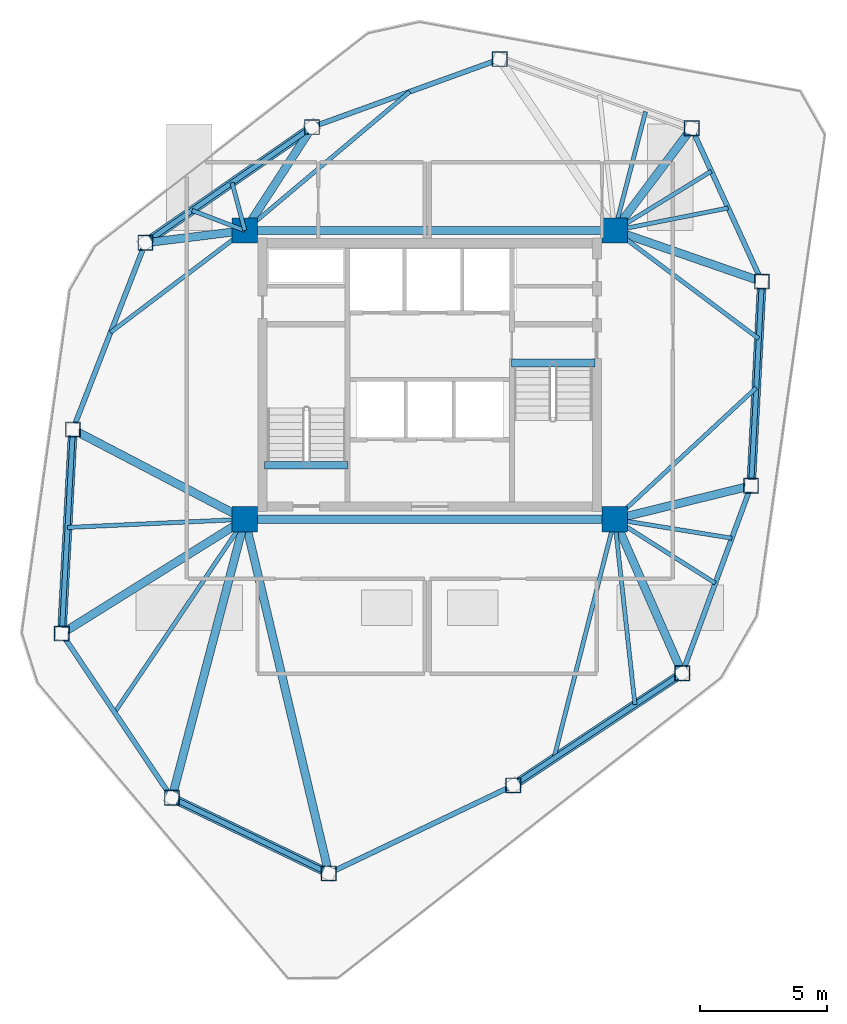
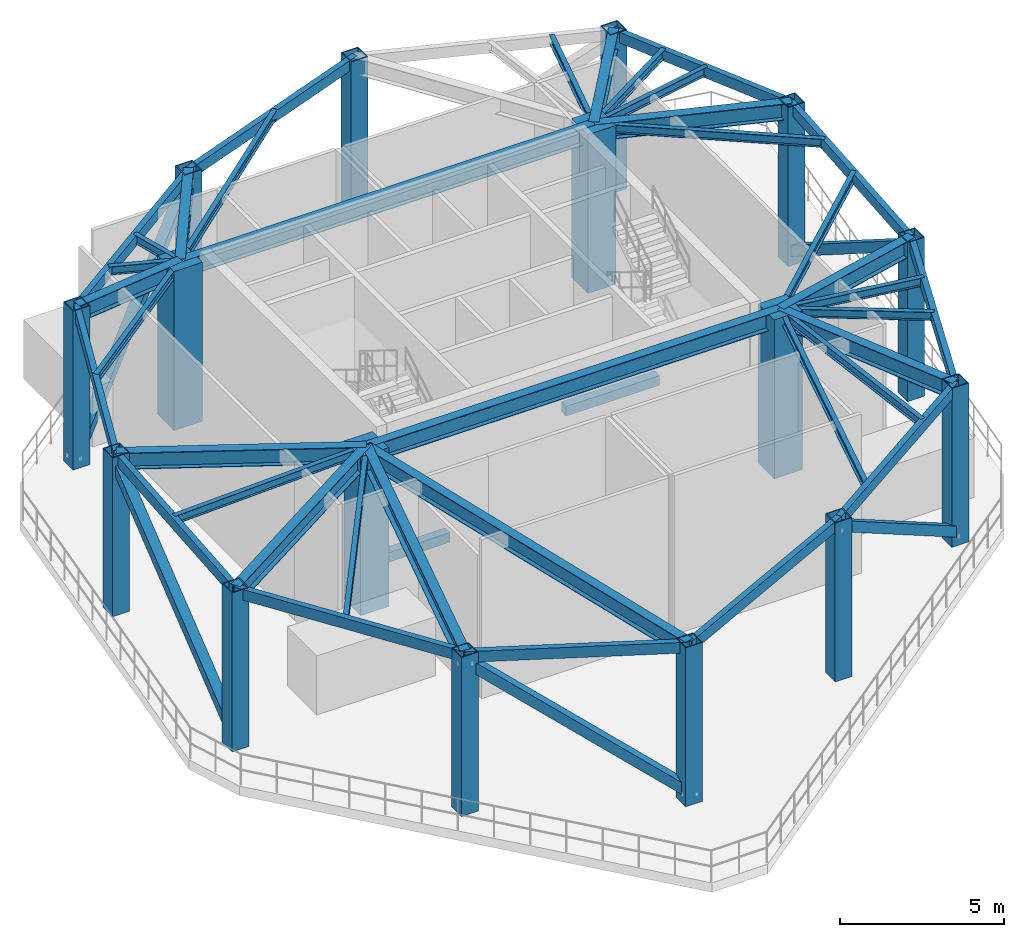
# One storey, part 1 of 7: 40 beams, 16 columns, 5 members.
"""IFC4 building model written with IfcOpenShell, lengths in metres."""

from ifc_helpers import new_model, si_unit, direction, frame, origin, origin_2d, place, context, subcontext, project, spatial, rectangle, hollow_rectangle, i_section, extrude, source, transform, mapped, material, material_profile, profile_set, type_object, type_shapes, element, save


model = new_model("IFC4")

# Units and contexts
model_context = context("Model", 3, precision=1e-05, world=origin(), true_north=direction((0.0, 1.0)))
body_context = subcontext(model_context, "Body", "Model", "MODEL_VIEW")
ifc_project = project(units=[si_unit("LENGTHUNIT", "METRE"), si_unit("AREAUNIT", "SQUARE_METRE"), si_unit("VOLUMEUNIT", "CUBIC_METRE"), si_unit("PLANEANGLEUNIT", "RADIAN"), si_unit("MASSUNIT", "GRAM", prefix="KILO")], contexts=[model_context])

# Site, building, storey
site_placement = place(None, origin())
site = spatial("IfcSite", under=ifc_project, at=site_placement, CompositionType="ELEMENT")
building_placement = place(site_placement, origin())
building = spatial("IfcBuilding", under=site, at=building_placement, Name="Talar Marvaseh", CompositionType="ELEMENT")
storey_placement = place(building_placement, frame((0.0, 0.0, 202.0)))
storey = spatial("IfcBuildingStorey", under=building, at=storey_placement, Name="L53", CompositionType="ELEMENT", Elevation=202.0)

# Columns
ifc_material_1 = material(Name="Steel S460", Category="steel")
ifc_material_profile_1 = material_profile(ifc_material_1, hollow_rectangle(XDim=0.60009765625, YDim=0.60009765625, WallThickness=0.031982421875, at=origin_2d()), Name="BOX600x600x32")
ifc_profile_set_1 = profile_set([ifc_material_profile_1], Name="Steel S460")
column_type_1 = type_object("IfcColumnType", Name="Wind Portal Column BOX600x600x32", PredefinedType="COLUMN", material=ifc_profile_set_1)
for number, where, z_axis, x_axis, name in (
    (1, (28.76611328125, 43.66796875, 0.0), (0.0, 0.0, 1.0), (1.0, 0.0, 0.0), "L53 Wind Portal Column BOX600x600x32"),
    (2, (36.341064453125, 40.94189453125, 0.0), (0.0, 0.0, 1.0), (1.0, 0.0, 0.0), "L53 Wind Portal Column BOX600x600x32"),
    (3, (39.113037109375, 34.884033203125, 0.0), (0.0, 0.0, 1.0), (1.0, 0.0, 0.0), "L53 Wind Portal Column BOX600x600x32"),
    (4, (38.68896484375, 26.823974609375, 0.0), (0.0, 0.0, 1.0), (1.0, 0.0, 0.0), "L53 Wind Portal Column BOX600x600x32"),
    (5, (35.970947265625, 19.423095703125, 0.0), (0.0, 0.0, 1.0), (1.0, 0.0, 0.0), "L53 Wind Portal Column BOX600x600x32"),
    (6, (29.299072265625, 14.993896484375, 0.0), (0.0, 0.0, 1.0), (1.0, 0.0, 0.0), "L53 Wind Portal Column BOX600x600x32"),
    (7, (22.014892578125, 11.51904296875, 0.0), (0.0, 0.0, 1.0), (1.0, 0.0, 0.0), "L53 Wind Portal Column BOX600x600x32"),
    (8, (15.819091796875, 14.5009765625, 0.0), (0.0, 0.0, 1.0), (1.0, 0.0, 0.0), "L53 Wind Portal Column BOX600x600x32"),
    (9, (11.471923828125, 20.986083984375, 0.0), (0.0, 0.0, 1.0), (1.0, 0.0, 0.0), "L53 Wind Portal Column BOX600x600x32"),
    (10, (11.908935546875, 29.044921875, 0.0), (0.0, 0.0, 1.0), (1.0, 0.0, 0.0), "L53 Wind Portal Column BOX600x600x32"),
    (11, (14.77294921875, 36.416015625, 0.0), (0.0, 0.0, 1.0), (1.0, 0.0, 0.0), "L53 Wind Portal Column BOX600x600x32"),
    (12, (21.35205078125, 40.986083984375, 0.0), (0.0, 0.0, 1.0), (1.0, 0.0, 0.0), "L53 Wind Portal Column BOX600x600x32"),
):
    element("IfcColumn", number, at=place(storey_placement, frame(where, z_axis=z_axis, x_axis=x_axis)), inside=storey, type_object=column_type_1, Name=name, PredefinedType="COLUMN", context=body_context, shape_type="SweptSolid", body=[
        extrude(hollow_rectangle(XDim=0.60009765625, YDim=0.60009765625, WallThickness=0.031982421875, at=origin_2d()), origin(), (0.0, 0.0, 1.0), 5.929931640625),
    ])
ifc_material_2 = material(Name="Concrete C60/75", Category="concrete")
ifc_material_profile_2 = material_profile(ifc_material_2, rectangle(XDim=1.0, YDim=1.0, at=origin_2d()), Name="RC1000x1000")
ifc_profile_set_2 = profile_set([ifc_material_profile_2], Name="Concrete C60/75")
column_type_2 = type_object("IfcColumnType", Name="Zone 3 Tube Column RC1000x1000", PredefinedType="COLUMN", material=ifc_profile_set_2)
for number, where, z_axis, x_axis, name in (
    (13, (18.699951171875, 25.5, 0.0), (0.0, 0.0, 1.0), (1.0, 0.0, 0.0), "L53 Zone 3 Tube Column RC1000x1000"),
    (14, (33.300048828125, 25.5, 0.0), (0.0, 0.0, 1.0), (1.0, 0.0, 0.0), "L53 Zone 3 Tube Column RC1000x1000"),
    (15, (33.300048828125, 36.89990234375, 0.0), (0.0, 0.0, 1.0), (1.0, 0.0, 0.0), "L53 Zone 3 Tube Column RC1000x1000"),
    (16, (18.699951171875, 36.89990234375, 0.0), (0.0, 0.0, 1.0), (1.0, 0.0, 0.0), "L53 Zone 3 Tube Column RC1000x1000"),
):
    element("IfcColumn", number, at=place(storey_placement, frame(where, z_axis=z_axis, x_axis=x_axis)), inside=storey, type_object=column_type_2, Name=name, PredefinedType="COLUMN", context=body_context, shape_type="SweptSolid", body=[
        extrude(rectangle(XDim=1.0, YDim=1.0, at=origin_2d()), origin(), (0.0, 0.0, 1.0), 5.929931640625),
    ])

# Beams
ifc_material_3 = material(Name="Concrete C40/50", Category="concrete")
ifc_material_profile_3 = material_profile(ifc_material_3, rectangle(XDim=0.300048828125, YDim=0.360107421875, at=origin_2d()), Name="RC300x360")
ifc_profile_set_3 = profile_set([ifc_material_profile_3], Name="Concrete C40/50")
beam_type_1 = type_object("IfcBeamType", Name="Concrete Stair Landing Trimmer Beam RC300x360", PredefinedType="SPANDREL", material=ifc_profile_set_3)
for number, where, z_axis, x_axis, name in (
    (17, (22.780029296875, 27.6298828125, -0.179931640625), (-1.0, 0.0, 0.0), (0.0, -1.0, 0.0), "L53 ST-1 Stair Nosing Trimmer Beam"),
    (18, (29.219970703125, 31.669921875, -0.179931640625), (1.0, 0.0, 0.0), (0.0, 1.0, 0.0), "L53 ST-2 Stair Nosing Trimmer Beam"),
):
    element("IfcBeam", number, at=place(storey_placement, frame(where, z_axis=z_axis, x_axis=x_axis)), inside=storey, type_object=beam_type_1, Name=name, PredefinedType="SPANDREL", context=body_context, shape_type="SweptSolid", body=[
        extrude(rectangle(XDim=0.300048828125, YDim=0.360107421875, at=origin_2d()), origin(), (0.0, 0.0, 1.0), 3.300048828125),
    ])
ifc_material_4 = material(Name="Steel S355", Category="steel")
ifc_material_profile_4 = material_profile(ifc_material_4, hollow_rectangle(XDim=0.199951171875, YDim=0.39990234375, WallThickness=0.013916015625, at=origin_2d()), Name="RHS400x200x14")
ifc_profile_set_4 = profile_set([ifc_material_profile_4], Name="Steel S355")
beam_type_2 = type_object("IfcBeamType", Name="Zone 3 Perimeter Spandrel Beam RHS400x200x14", PredefinedType="SPANDREL", material=ifc_profile_set_4)
beam_1_placement = place(storey_placement, frame((36.341064453125, 40.94189453125, 5.72998046875), z_axis=(0.416090570719, -0.909323175202, 0.0), x_axis=(0.909323175202, 0.416090570719, 0.0)))
element("IfcBeam", 19, at=beam_1_placement, inside=storey, type_object=beam_type_2, Name="L53 Zone 3 Perimeter Spandrel Beam RHS400x200x14", PredefinedType="SPANDREL", context=body_context, shape_type="SweptSolid", body=[
    extrude(hollow_rectangle(XDim=0.199951171875, YDim=0.39990234375, WallThickness=0.013916015625, at=origin_2d()), origin(), (0.0, 0.0, 1.0), 6.661865234375),
])
beam_2_placement = place(storey_placement, frame((39.113037109375, 34.884033203125, 5.72998046875), z_axis=(-0.052541369293, -0.998618748328, 0.0), x_axis=(0.998618748328, -0.052541369293, 0.0)))
element("IfcBeam", 20, at=beam_2_placement, inside=storey, type_object=beam_type_2, Name="L53 Zone 3 Perimeter Spandrel Beam RHS400x200x14", PredefinedType="SPANDREL", context=body_context, shape_type="SweptSolid", body=[
    extrude(hollow_rectangle(XDim=0.199951171875, YDim=0.39990234375, WallThickness=0.013916015625, at=origin_2d()), origin(), (0.0, 0.0, 1.0), 8.0712890625),
])
beam_3_placement = place(storey_placement, frame((38.68896484375, 26.823974609375, 5.72998046875), z_axis=(-0.344742291376, -0.938697370049, 0.0), x_axis=(0.938697370049, -0.344742291376, 0.0)))
element("IfcBeam", 21, at=beam_3_placement, inside=storey, type_object=beam_type_2, Name="L53 Zone 3 Perimeter Spandrel Beam RHS400x200x14", PredefinedType="SPANDREL", context=body_context, shape_type="SweptSolid", body=[
    extrude(hollow_rectangle(XDim=0.199951171875, YDim=0.39990234375, WallThickness=0.013916015625, at=origin_2d()), origin(), (0.0, 0.0, 1.0), 7.88427734375),
])
beam_4_placement = place(storey_placement, frame((35.970947265625, 19.423095703125, 5.72998046875), z_axis=(-0.833127464163, -0.553081032452, 0.0), x_axis=(0.553081032452, -0.833127464163, 0.0)))
element("IfcBeam", 22, at=beam_4_placement, inside=storey, type_object=beam_type_2, Name="L53 Zone 3 Perimeter Spandrel Beam RHS400x200x14", PredefinedType="SPANDREL", context=body_context, shape_type="SweptSolid", body=[
    extrude(hollow_rectangle(XDim=0.199951171875, YDim=0.39990234375, WallThickness=0.013916015625, at=origin_2d()), origin(), (0.0, 0.0, 1.0), 8.00830078125),
])
beam_5_placement = place(storey_placement, frame((29.299072265625, 14.993896484375, 5.72998046875), z_axis=(-0.902562267408, -0.430559349511, 0.0), x_axis=(0.430559349511, -0.902562267408, 0.0)))
element("IfcBeam", 23, at=beam_5_placement, inside=storey, type_object=beam_type_2, Name="L53 Zone 3 Perimeter Spandrel Beam RHS400x200x14", PredefinedType="SPANDREL", context=body_context, shape_type="SweptSolid", body=[
    extrude(hollow_rectangle(XDim=0.199951171875, YDim=0.39990234375, WallThickness=0.013916015625, at=origin_2d()), origin(), (0.0, 0.0, 1.0), 8.070556640625),
])
beam_6_placement = place(storey_placement, frame((22.014892578125, 11.51904296875, 5.72998046875), z_axis=(-0.901071562993, 0.433670425975, 0.0), x_axis=(-0.433670425975, -0.901071562993, 0.0)))
element("IfcBeam", 24, at=beam_6_placement, inside=storey, type_object=beam_type_2, Name="L53 Zone 3 Perimeter Spandrel Beam RHS400x200x14", PredefinedType="SPANDREL", context=body_context, shape_type="SweptSolid", body=[
    extrude(hollow_rectangle(XDim=0.199951171875, YDim=0.39990234375, WallThickness=0.013916015625, at=origin_2d()), origin(), (0.0, 0.0, 1.0), 6.8759765625),
])
beam_7_placement = place(storey_placement, frame((15.819091796875, 14.5009765625, 5.72998046875), z_axis=(-0.556805579613, 0.830642851358, 0.0), x_axis=(-0.830642851358, -0.556805579613, 0.0)))
element("IfcBeam", 25, at=beam_7_placement, inside=storey, type_object=beam_type_2, Name="L53 Zone 3 Perimeter Spandrel Beam RHS400x200x14", PredefinedType="SPANDREL", context=body_context, shape_type="SweptSolid", body=[
    extrude(hollow_rectangle(XDim=0.199951171875, YDim=0.39990234375, WallThickness=0.013916015625, at=origin_2d()), origin(), (0.0, 0.0, 1.0), 7.807373046875),
])
beam_8_placement = place(storey_placement, frame((11.471923828125, 20.986083984375, 5.72998046875), z_axis=(0.054148078426, 0.998532916635, 0.0), x_axis=(-0.998532916635, 0.054148078426, 0.0)))
element("IfcBeam", 26, at=beam_8_placement, inside=storey, type_object=beam_type_2, Name="L53 Zone 3 Perimeter Spandrel Beam RHS400x200x14", PredefinedType="SPANDREL", context=body_context, shape_type="SweptSolid", body=[
    extrude(hollow_rectangle(XDim=0.199951171875, YDim=0.39990234375, WallThickness=0.013916015625, at=origin_2d()), origin(), (0.0, 0.0, 1.0), 8.070556640625),
])
beam_9_placement = place(storey_placement, frame((11.908935546875, 29.044921875, 5.72998046875), z_axis=(0.362169134611, 0.932112395548, 0.0), x_axis=(-0.932112395548, 0.362169134611, 0.0)))
element("IfcBeam", 27, at=beam_9_placement, inside=storey, type_object=beam_type_2, Name="L53 Zone 3 Perimeter Spandrel Beam RHS400x200x14", PredefinedType="SPANDREL", context=body_context, shape_type="SweptSolid", body=[
    extrude(hollow_rectangle(XDim=0.199951171875, YDim=0.39990234375, WallThickness=0.013916015625, at=origin_2d()), origin(), (0.0, 0.0, 1.0), 7.907958984375),
])
beam_10_placement = place(storey_placement, frame((14.77294921875, 36.416015625, 5.72998046875), z_axis=(0.821296978901, 0.570500896098, 0.0), x_axis=(-0.570500896098, 0.821296978901, 0.0)))
element("IfcBeam", 28, at=beam_10_placement, inside=storey, type_object=beam_type_2, Name="L53 Zone 3 Perimeter Spandrel Beam RHS400x200x14", PredefinedType="SPANDREL", context=body_context, shape_type="SweptSolid", body=[
    extrude(hollow_rectangle(XDim=0.199951171875, YDim=0.39990234375, WallThickness=0.013916015625, at=origin_2d()), origin(), (0.0, 0.0, 1.0), 8.0107421875),
])
beam_11_placement = place(storey_placement, frame((21.35205078125, 40.986083984375, 5.72998046875), z_axis=(0.940368006783, 0.340158803824, 0.0), x_axis=(-0.340158803824, 0.940368006783, 0.0)))
element("IfcBeam", 29, at=beam_11_placement, inside=storey, type_object=beam_type_2, Name="L53 Zone 3 Perimeter Spandrel Beam RHS400x200x14", PredefinedType="SPANDREL", context=body_context, shape_type="SweptSolid", body=[
    extrude(hollow_rectangle(XDim=0.199951171875, YDim=0.39990234375, WallThickness=0.013916015625, at=origin_2d()), origin(), (0.0, 0.0, 1.0), 7.88427734375),
])
ifc_material_profile_5 = material_profile(ifc_material_4, i_section(OverallWidth=0.324951171875, OverallDepth=0.615966796875, WebThickness=0.013916015625, FlangeThickness=0.021484375, at=origin_2d()), Name="W610x174")
ifc_profile_set_5 = profile_set([ifc_material_profile_5], Name="Steel S355")
beam_type_3 = type_object("IfcBeamType", Name="Zone 3 Radial Floor Girder W610x174", PredefinedType="BEAM", material=ifc_profile_set_5)
for number, where, z_axis, x_axis, name in (
    (30, (18.699951171875, 25.5, 5.6220703125), (1.0, 0.0, 0.0), (0.0, 1.0, 0.0), "L53 Zone 3 Radial Floor Girder W610x174"),
    (31, (18.699951171875, 36.89990234375, 5.6220703125), (1.0, 0.0, 0.0), (0.0, 1.0, 0.0), "L53 Zone 3 Radial Floor Girder W610x174"),
):
    element("IfcBeam", number, at=place(storey_placement, frame(where, z_axis=z_axis, x_axis=x_axis)), inside=storey, type_object=beam_type_3, Name=name, PredefinedType="BEAM", context=body_context, shape_type="SweptSolid", body=[
        extrude(i_section(OverallWidth=0.324951171875, OverallDepth=0.615966796875, WebThickness=0.013916015625, FlangeThickness=0.021484375, at=origin_2d()), origin(), (0.0, 0.0, 1.0), 14.60009765625),
    ])
beam_12_placement = place(storey_placement, frame((36.341064453125, 40.94189453125, 5.6220703125), z_axis=(-0.601204044541, -0.799095549247, 0.0), x_axis=(0.799095549247, -0.601204044541, 0.0)))
element("IfcBeam", 32, at=beam_12_placement, inside=storey, type_object=beam_type_3, Name="L53 Zone 3 Radial Floor Girder W610x174", PredefinedType="BEAM", context=body_context, shape_type="SweptSolid", body=[
    extrude(i_section(OverallWidth=0.324951171875, OverallDepth=0.615966796875, WebThickness=0.013916015625, FlangeThickness=0.021484375, at=origin_2d()), origin(), (0.0, 0.0, 1.0), 5.05810546875),
])
beam_13_placement = place(storey_placement, frame((39.113037109375, 34.884033203125, 5.6220703125), z_axis=(-0.94480098975, 0.327644761544, 0.0), x_axis=(-0.327644761544, -0.94480098975, 0.0)))
element("IfcBeam", 33, at=beam_13_placement, inside=storey, type_object=beam_type_3, Name="L53 Zone 3 Radial Floor Girder W610x174", PredefinedType="BEAM", context=body_context, shape_type="SweptSolid", body=[
    extrude(i_section(OverallWidth=0.324951171875, OverallDepth=0.615966796875, WebThickness=0.013916015625, FlangeThickness=0.021484375, at=origin_2d()), origin(), (0.0, 0.0, 1.0), 6.152587890625),
])
beam_14_placement = place(storey_placement, frame((38.68896484375, 26.823974609375, 5.6220703125), z_axis=(-0.971120507527, -0.238589521692, 0.0), x_axis=(0.238589521692, -0.971120507527, 0.0)))
element("IfcBeam", 34, at=beam_14_placement, inside=storey, type_object=beam_type_3, Name="L53 Zone 3 Radial Floor Girder W610x174", PredefinedType="BEAM", context=body_context, shape_type="SweptSolid", body=[
    extrude(i_section(OverallWidth=0.324951171875, OverallDepth=0.615966796875, WebThickness=0.013916015625, FlangeThickness=0.021484375, at=origin_2d()), origin(), (0.0, 0.0, 1.0), 5.549072265625),
])
beam_15_placement = place(storey_placement, frame((35.970947265625, 19.423095703125, 5.6220703125), z_axis=(-0.402367581672, 0.91547819702, 0.0), x_axis=(-0.91547819702, -0.402367581672, 0.0)))
element("IfcBeam", 35, at=beam_15_placement, inside=storey, type_object=beam_type_3, Name="L53 Zone 3 Radial Floor Girder W610x174", PredefinedType="BEAM", context=body_context, shape_type="SweptSolid", body=[
    extrude(i_section(OverallWidth=0.324951171875, OverallDepth=0.615966796875, WebThickness=0.013916015625, FlangeThickness=0.021484375, at=origin_2d()), origin(), (0.0, 0.0, 1.0), 6.637939453125),
])
beam_16_placement = place(storey_placement, frame((22.014892578125, 11.51904296875, 5.6220703125), z_axis=(-0.230707708791, 0.973023099985, 0.0), x_axis=(-0.973023099985, -0.230707708791, 0.0)))
element("IfcBeam", 36, at=beam_16_placement, inside=storey, type_object=beam_type_3, Name="L53 Zone 3 Radial Floor Girder W610x174", PredefinedType="BEAM", context=body_context, shape_type="SweptSolid", body=[
    extrude(i_section(OverallWidth=0.324951171875, OverallDepth=0.615966796875, WebThickness=0.013916015625, FlangeThickness=0.021484375, at=origin_2d()), origin(), (0.0, 0.0, 1.0), 14.36865234375),
])
beam_17_placement = place(storey_placement, frame((15.819091796875, 14.5009765625, 5.6220703125), z_axis=(0.253372787776, 0.967368714821, 0.0), x_axis=(-0.967368714821, 0.253372787776, 0.0)))
element("IfcBeam", 37, at=beam_17_placement, inside=storey, type_object=beam_type_3, Name="L53 Zone 3 Radial Floor Girder W610x174", PredefinedType="BEAM", context=body_context, shape_type="SweptSolid", body=[
    extrude(i_section(OverallWidth=0.324951171875, OverallDepth=0.615966796875, WebThickness=0.013916015625, FlangeThickness=0.021484375, at=origin_2d()), origin(), (0.0, 0.0, 1.0), 11.3701171875),
])
beam_18_placement = place(storey_placement, frame((11.471923828125, 20.986083984375, 5.6220703125), z_axis=(0.848188171212, 0.52969503133, 0.0), x_axis=(-0.52969503133, 0.848188171212, 0.0)))
element("IfcBeam", 38, at=beam_18_placement, inside=storey, type_object=beam_type_3, Name="L53 Zone 3 Radial Floor Girder W610x174", PredefinedType="BEAM", context=body_context, shape_type="SweptSolid", body=[
    extrude(i_section(OverallWidth=0.324951171875, OverallDepth=0.615966796875, WebThickness=0.013916015625, FlangeThickness=0.021484375, at=origin_2d()), origin(), (0.0, 0.0, 1.0), 8.521728515625),
])
beam_19_placement = place(storey_placement, frame((11.908935546875, 29.044921875, 5.6220703125), z_axis=(0.886489360055, -0.462748975697, 0.0), x_axis=(0.462748975697, 0.886489360055, 0.0)))
element("IfcBeam", 39, at=beam_19_placement, inside=storey, type_object=beam_type_3, Name="L53 Zone 3 Radial Floor Girder W610x174", PredefinedType="BEAM", context=body_context, shape_type="SweptSolid", body=[
    extrude(i_section(OverallWidth=0.324951171875, OverallDepth=0.615966796875, WebThickness=0.013916015625, FlangeThickness=0.021484375, at=origin_2d()), origin(), (0.0, 0.0, 1.0), 7.66064453125),
])
beam_20_placement = place(storey_placement, frame((14.77294921875, 36.416015625, 5.6220703125), z_axis=(0.99249373738, 0.122295467049, 0.0), x_axis=(-0.122295467049, 0.99249373738, 0.0)))
element("IfcBeam", 40, at=beam_20_placement, inside=storey, type_object=beam_type_3, Name="L53 Zone 3 Radial Floor Girder W610x174", PredefinedType="BEAM", context=body_context, shape_type="SweptSolid", body=[
    extrude(i_section(OverallWidth=0.324951171875, OverallDepth=0.615966796875, WebThickness=0.013916015625, FlangeThickness=0.021484375, at=origin_2d()), origin(), (0.0, 0.0, 1.0), 3.956787109375),
])
beam_21_placement = place(storey_placement, frame((21.35205078125, 40.986083984375, 5.6220703125), z_axis=(-0.544422757063, -0.838810980849, 0.0), x_axis=(0.838810980849, -0.544422757063, 0.0)))
element("IfcBeam", 41, at=beam_21_placement, inside=storey, type_object=beam_type_3, Name="L53 Zone 3 Radial Floor Girder W610x174", PredefinedType="BEAM", context=body_context, shape_type="SweptSolid", body=[
    extrude(i_section(OverallWidth=0.324951171875, OverallDepth=0.615966796875, WebThickness=0.013916015625, FlangeThickness=0.021484375, at=origin_2d()), origin(), (0.0, 0.0, 1.0), 4.871337890625),
])
ifc_material_profile_6 = material_profile(ifc_material_4, i_section(OverallWidth=0.166015625, OverallDepth=0.31298828125, WebThickness=0.006591796875, FlangeThickness=0.01123046875, at=origin_2d()), Name="W310x45")
ifc_profile_set_6 = profile_set([ifc_material_profile_6], Name="Steel S355")
beam_type_4 = type_object("IfcBeamType", Name="Zone 3 Secondary Floor Joist W310x45", PredefinedType="JOIST", material=ifc_profile_set_6)
beam_22_placement = place(storey_placement, frame((34.52294921875, 41.59619140625, 5.7734375), z_axis=(-0.251993851934, -0.967728835257, 0.0), x_axis=(0.967728835257, -0.251993851934, 0.0)))
element("IfcBeam", 42, at=beam_22_placement, inside=storey, type_object=beam_type_4, Name="L53 Zone 3 Secondary Floor Joist W310x45", PredefinedType="JOIST", context=body_context, shape_type="SweptSolid", body=[
    extrude(i_section(OverallWidth=0.166015625, OverallDepth=0.31298828125, WebThickness=0.006591796875, FlangeThickness=0.01123046875, at=origin_2d()), origin(), (0.0, 0.0, 1.0), 4.852783203125),
])
beam_23_placement = place(storey_placement, frame((37.1171875, 39.245849609375, 5.7734375), z_axis=(-0.851963133725, -0.52360177499, 0.0), x_axis=(0.52360177499, -0.851963133725, 0.0)))
element("IfcBeam", 43, at=beam_23_placement, inside=storey, type_object=beam_type_4, Name="L53 Zone 3 Secondary Floor Joist W310x45", PredefinedType="JOIST", context=body_context, shape_type="SweptSolid", body=[
    extrude(i_section(OverallWidth=0.166015625, OverallDepth=0.31298828125, WebThickness=0.006591796875, FlangeThickness=0.01123046875, at=origin_2d()), origin(), (0.0, 0.0, 1.0), 4.48046875),
])
beam_24_placement = place(storey_placement, frame((37.782470703125, 37.791748046875, 5.7734375), z_axis=(-0.980775375356, -0.195140111447, 0.0), x_axis=(0.195140111447, -0.980775375356, 0.0)))
element("IfcBeam", 44, at=beam_24_placement, inside=storey, type_object=beam_type_4, Name="L53 Zone 3 Secondary Floor Joist W310x45", PredefinedType="JOIST", context=body_context, shape_type="SweptSolid", body=[
    extrude(i_section(OverallWidth=0.166015625, OverallDepth=0.31298828125, WebThickness=0.006591796875, FlangeThickness=0.01123046875, at=origin_2d()), origin(), (0.0, 0.0, 1.0), 4.5703125),
])
beam_25_placement = place(storey_placement, frame((38.994384765625, 32.627197265625, 5.7734375), z_axis=(-0.799868292589, 0.600175569739, 0.0), x_axis=(-0.600175569739, -0.799868292589, 0.0)))
element("IfcBeam", 45, at=beam_25_placement, inside=storey, type_object=beam_type_4, Name="L53 Zone 3 Secondary Floor Joist W310x45", PredefinedType="JOIST", context=body_context, shape_type="SweptSolid", body=[
    extrude(i_section(OverallWidth=0.166015625, OverallDepth=0.31298828125, WebThickness=0.006591796875, FlangeThickness=0.01123046875, at=origin_2d()), origin(), (0.0, 0.0, 1.0), 7.119140625),
])
beam_26_placement = place(storey_placement, frame((38.892578125, 30.69287109375, 5.7734375), z_axis=(-0.73280602476, -0.680437601897, 0.0), x_axis=(0.680437601897, -0.73280602476, 0.0)))
element("IfcBeam", 46, at=beam_26_placement, inside=storey, type_object=beam_type_4, Name="L53 Zone 3 Secondary Floor Joist W310x45", PredefinedType="JOIST", context=body_context, shape_type="SweptSolid", body=[
    extrude(i_section(OverallWidth=0.166015625, OverallDepth=0.31298828125, WebThickness=0.006591796875, FlangeThickness=0.01123046875, at=origin_2d()), origin(), (0.0, 0.0, 1.0), 7.631591796875),
])
beam_27_placement = place(storey_placement, frame((37.927978515625, 24.751708984375, 5.7734375), z_axis=(-0.987178985963, 0.159617197298, 0.0), x_axis=(-0.159617197298, -0.987178985963, 0.0)))
element("IfcBeam", 47, at=beam_27_placement, inside=storey, type_object=beam_type_4, Name="L53 Zone 3 Secondary Floor Joist W310x45", PredefinedType="JOIST", context=body_context, shape_type="SweptSolid", body=[
    extrude(i_section(OverallWidth=0.166015625, OverallDepth=0.31298828125, WebThickness=0.006591796875, FlangeThickness=0.01123046875, at=origin_2d()), origin(), (0.0, 0.0, 1.0), 4.68798828125),
])
beam_28_placement = place(storey_placement, frame((37.275634765625, 22.9755859375, 5.7734375), z_axis=(-0.844190472961, 0.536043324147, 0.0), x_axis=(-0.536043324147, -0.844190472961, 0.0)))
element("IfcBeam", 48, at=beam_28_placement, inside=storey, type_object=beam_type_4, Name="L53 Zone 3 Secondary Floor Joist W310x45", PredefinedType="JOIST", context=body_context, shape_type="SweptSolid", body=[
    extrude(i_section(OverallWidth=0.166015625, OverallDepth=0.31298828125, WebThickness=0.006591796875, FlangeThickness=0.01123046875, at=origin_2d()), origin(), (0.0, 0.0, 1.0), 4.709228515625),
])
beam_29_placement = place(storey_placement, frame((34.102783203125, 18.182861328125, 5.7734375), z_axis=(-0.109051770147, 0.994036071492, 0.0), x_axis=(-0.994036071492, -0.109051770147, 0.0)))
element("IfcBeam", 49, at=beam_29_placement, inside=storey, type_object=beam_type_4, Name="L53 Zone 3 Secondary Floor Joist W310x45", PredefinedType="JOIST", context=body_context, shape_type="SweptSolid", body=[
    extrude(i_section(OverallWidth=0.166015625, OverallDepth=0.31298828125, WebThickness=0.006591796875, FlangeThickness=0.01123046875, at=origin_2d()), origin(), (0.0, 0.0, 1.0), 7.361083984375),
])
beam_30_placement = place(storey_placement, frame((30.900390625, 16.056884765625, 5.7734375), z_axis=(0.246289474123, 0.96919631393, 0.0), x_axis=(-0.96919631393, 0.246289474123, 0.0)))
element("IfcBeam", 50, at=beam_30_placement, inside=storey, type_object=beam_type_4, Name="L53 Zone 3 Secondary Floor Joist W310x45", PredefinedType="JOIST", context=body_context, shape_type="SweptSolid", body=[
    extrude(i_section(OverallWidth=0.166015625, OverallDepth=0.31298828125, WebThickness=0.006591796875, FlangeThickness=0.01123046875, at=origin_2d()), origin(), (0.0, 0.0, 1.0), 9.7431640625),
])
beam_31_placement = place(storey_placement, frame((13.55859375, 17.873291015625, 5.7734375), z_axis=(0.558974483718, 0.829184856683, 0.0), x_axis=(-0.829184856683, 0.558974483718, 0.0)))
element("IfcBeam", 51, at=beam_31_placement, inside=storey, type_object=beam_type_4, Name="L53 Zone 3 Secondary Floor Joist W310x45", PredefinedType="JOIST", context=body_context, shape_type="SweptSolid", body=[
    extrude(i_section(OverallWidth=0.166015625, OverallDepth=0.31298828125, WebThickness=0.006591796875, FlangeThickness=0.01123046875, at=origin_2d()), origin(), (0.0, 0.0, 1.0), 9.19775390625),
])
beam_32_placement = place(storey_placement, frame((11.69921875, 25.1767578125, 5.7734375), z_axis=(0.998935745755, 0.046123484826, 0.0), x_axis=(-0.046123484826, 0.998935745755, 0.0)))
element("IfcBeam", 52, at=beam_32_placement, inside=storey, type_object=beam_type_4, Name="L53 Zone 3 Secondary Floor Joist W310x45", PredefinedType="JOIST", context=body_context, shape_type="SweptSolid", body=[
    extrude(i_section(OverallWidth=0.166015625, OverallDepth=0.31298828125, WebThickness=0.006591796875, FlangeThickness=0.01123046875, at=origin_2d()), origin(), (0.0, 0.0, 1.0), 7.00830078125),
])
beam_33_placement = place(storey_placement, frame((13.398193359375, 32.8779296875, 5.7734375), z_axis=(0.796694925744, 0.604381663598, 0.0), x_axis=(-0.604381663598, 0.796694925744, 0.0)))
element("IfcBeam", 53, at=beam_33_placement, inside=storey, type_object=beam_type_4, Name="L53 Zone 3 Secondary Floor Joist W310x45", PredefinedType="JOIST", context=body_context, shape_type="SweptSolid", body=[
    extrude(i_section(OverallWidth=0.166015625, OverallDepth=0.31298828125, WebThickness=0.006591796875, FlangeThickness=0.01123046875, at=origin_2d()), origin(), (0.0, 0.0, 1.0), 6.65478515625),
])
beam_34_placement = place(storey_placement, frame((16.614990234375, 37.695556640625, 5.7734375), z_axis=(0.934281341688, -0.356536638473, 0.0), x_axis=(0.356536638473, 0.934281341688, 0.0)))
element("IfcBeam", 54, at=beam_34_placement, inside=storey, type_object=beam_type_4, Name="L53 Zone 3 Secondary Floor Joist W310x45", PredefinedType="JOIST", context=body_context, shape_type="SweptSolid", body=[
    extrude(i_section(OverallWidth=0.166015625, OverallDepth=0.31298828125, WebThickness=0.006591796875, FlangeThickness=0.01123046875, at=origin_2d()), origin(), (0.0, 0.0, 1.0), 2.231689453125),
])
beam_35_placement = place(storey_placement, frame((18.194091796875, 38.79248046875, 5.7734375), z_axis=(0.258221088864, -0.966085849842, 0.0), x_axis=(0.966085849842, 0.258221088864, 0.0)))
element("IfcBeam", 55, at=beam_35_placement, inside=storey, type_object=beam_type_4, Name="L53 Zone 3 Secondary Floor Joist W310x45", PredefinedType="JOIST", context=body_context, shape_type="SweptSolid", body=[
    extrude(i_section(OverallWidth=0.166015625, OverallDepth=0.31298828125, WebThickness=0.006591796875, FlangeThickness=0.01123046875, at=origin_2d()), origin(), (0.0, 0.0, 1.0), 1.958984375),
])
beam_36_placement = place(storey_placement, frame((25.207275390625, 42.380615234375, 5.7734375), z_axis=(-0.76486133839, -0.644194949558, 0.0), x_axis=(0.644194949558, -0.76486133839, 0.0)))
element("IfcBeam", 56, at=beam_36_placement, inside=storey, type_object=beam_type_4, Name="L53 Zone 3 Secondary Floor Joist W310x45", PredefinedType="JOIST", context=body_context, shape_type="SweptSolid", body=[
    extrude(i_section(OverallWidth=0.166015625, OverallDepth=0.31298828125, WebThickness=0.006591796875, FlangeThickness=0.01123046875, at=origin_2d()), origin(), (0.0, 0.0, 1.0), 8.5078125),
])

# Members
ifc_material_profile_7 = material_profile(ifc_material_4, hollow_rectangle(XDim=0.35009765625, YDim=0.35009765625, WallThickness=0.01611328125, at=origin_2d()), Name="SHS350x350x16")
ifc_profile_set_7 = profile_set([ifc_material_profile_7], Name="Steel S355")
member_type = type_object("IfcMemberType", Name="Wind Turbine Frame Strut SHS350x350x16", PredefinedType="STRUT", material=ifc_profile_set_7)
shared_shape_1 = source(origin(), body_context, "Body", "SweptSolid", [
    extrude(hollow_rectangle(XDim=0.35009765625, YDim=0.35009765625, WallThickness=0.01611328125, at=origin_2d()), origin(), (0.0, 0.0, 1.0), 9.617431640625),
])
member_1_placement = place(storey_placement, frame((39.113037109375, 34.884033203125, 0.35009765625), z_axis=(-0.04409363115, -0.838058226131, 0.543796065917), x_axis=(0.998618748328, -0.052541369293, 0.0)))
element("IfcMember", 57, at=member_1_placement, inside=storey, type_object=member_type, Name="L53 Wind Portal Perimeter Brace 3", PredefinedType="STRUT", context=body_context, shape_type="MappedRepresentation", body=[
    mapped(shared_shape_1, transform((0.0, 0.0, 0.0), x_axis=(1.0, 0.0, 0.0), y_axis=(0.0, 1.0, 0.0), z_axis=(0.0, 0.0, 1.0), scale=1.0)),
])
shared_shape_2 = source(origin(), body_context, "Body", "SweptSolid", [
    extrude(hollow_rectangle(XDim=0.35009765625, YDim=0.35009765625, WallThickness=0.01611328125, at=origin_2d()), origin(), (0.0, 0.0, 1.0), 9.564697265625),
])
member_2_placement = place(storey_placement, frame((35.970947265625, 19.423095703125, 0.35009765625), z_axis=(-0.697548385074, -0.463075336725, 0.546797478961), x_axis=(0.553081032452, -0.833127464163, 0.0)))
element("IfcMember", 58, at=member_2_placement, inside=storey, type_object=member_type, Name="L53 Wind Portal Perimeter Brace 5", PredefinedType="STRUT", context=body_context, shape_type="MappedRepresentation", body=[
    mapped(shared_shape_2, transform((0.0, 0.0, 0.0), x_axis=(1.0, 0.0, 0.0), y_axis=(0.0, 1.0, 0.0), z_axis=(0.0, 0.0, 1.0), scale=1.0)),
])
shared_shape_3 = source(origin(), body_context, "Body", "SweptSolid", [
    extrude(hollow_rectangle(XDim=0.35009765625, YDim=0.35009765625, WallThickness=0.01611328125, at=origin_2d()), origin(), (0.0, 0.0, 1.0), 8.638916015625),
])
member_3_placement = place(storey_placement, frame((22.014892578125, 11.51904296875, 0.35009765625), z_axis=(-0.717188378842, 0.345170575269, 0.605390868136), x_axis=(-0.433670425975, -0.901071562993, 0.0)))
element("IfcMember", 59, at=member_3_placement, inside=storey, type_object=member_type, Name="L53 Wind Portal Perimeter Brace 7", PredefinedType="STRUT", context=body_context, shape_type="MappedRepresentation", body=[
    mapped(shared_shape_3, transform((0.0, 0.0, 0.0), x_axis=(1.0, 0.0, 0.0), y_axis=(0.0, 1.0, 0.0), z_axis=(0.0, 0.0, 1.0), scale=1.0)),
])
shared_shape_4 = source(origin(), body_context, "Body", "SweptSolid", [
    extrude(hollow_rectangle(XDim=0.35009765625, YDim=0.35009765625, WallThickness=0.01611328125, at=origin_2d()), origin(), (0.0, 0.0, 1.0), 9.6171875),
])
member_4_placement = place(storey_placement, frame((11.471923828125, 20.986083984375, 0.35009765625), z_axis=(0.045441129084, 0.837969960854, 0.543821154879), x_axis=(-0.998532916635, 0.054148078426, 0.0)))
element("IfcMember", 60, at=member_4_placement, inside=storey, type_object=member_type, Name="L53 Wind Portal Perimeter Brace 9", PredefinedType="STRUT", context=body_context, shape_type="MappedRepresentation", body=[
    mapped(shared_shape_4, transform((0.0, 0.0, 0.0), x_axis=(1.0, 0.0, 0.0), y_axis=(0.0, 1.0, 0.0), z_axis=(0.0, 0.0, 1.0), scale=1.0)),
])
shared_shape_5 = source(origin(), body_context, "Body", "SweptSolid", [
    extrude(hollow_rectangle(XDim=0.35009765625, YDim=0.35009765625, WallThickness=0.01611328125, at=origin_2d()), origin(), (0.0, 0.0, 1.0), 9.566650390625),
])
type_shapes(member_type, [shared_shape_1, shared_shape_2, shared_shape_3, shared_shape_4, shared_shape_5])
member_5_placement = place(storey_placement, frame((14.77294921875, 36.416015625, 0.35009765625), z_axis=(0.687704627412, 0.4777030919, 0.546682816106), x_axis=(-0.570500896098, 0.821296978901, 0.0)))
element("IfcMember", 61, at=member_5_placement, inside=storey, type_object=member_type, Name="L53 Wind Portal Perimeter Brace 11", PredefinedType="STRUT", context=body_context, shape_type="MappedRepresentation", body=[
    mapped(shared_shape_5, transform((0.0, 0.0, 0.0), x_axis=(1.0, 0.0, 0.0), y_axis=(0.0, 1.0, 0.0), z_axis=(0.0, 0.0, 1.0), scale=1.0)),
])

save(model, "model.ifc")
